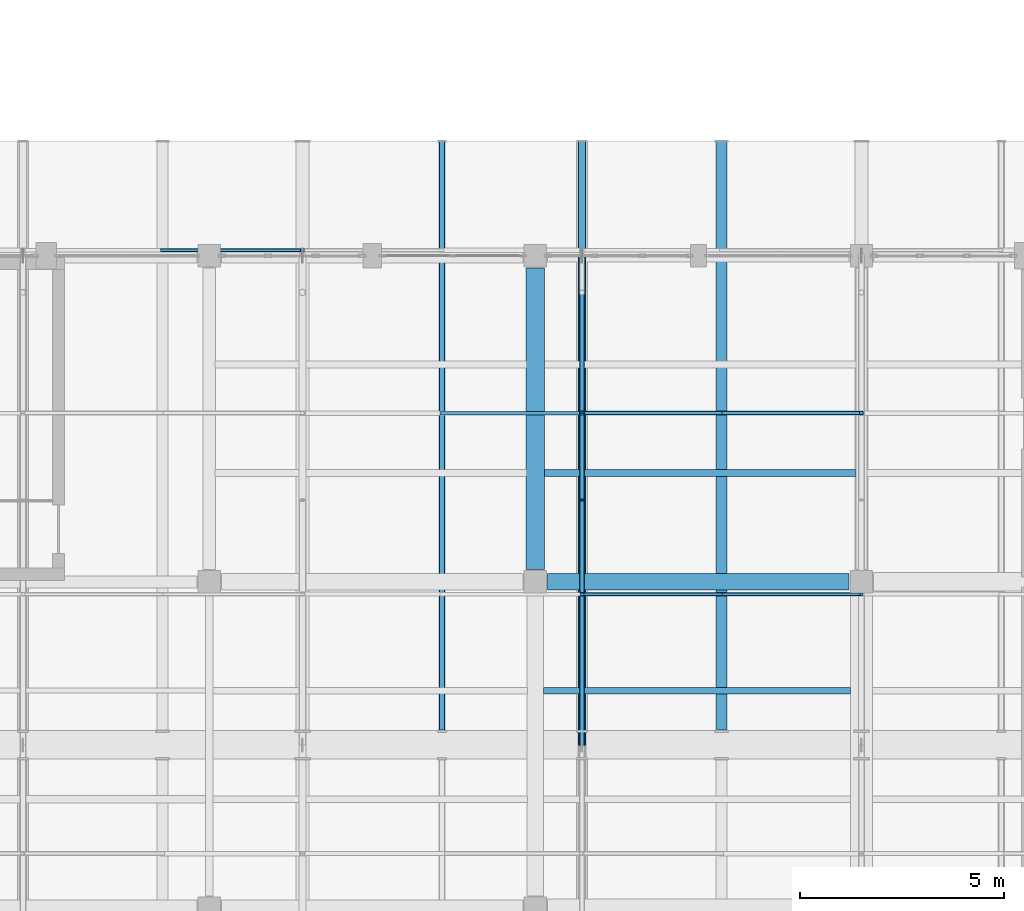
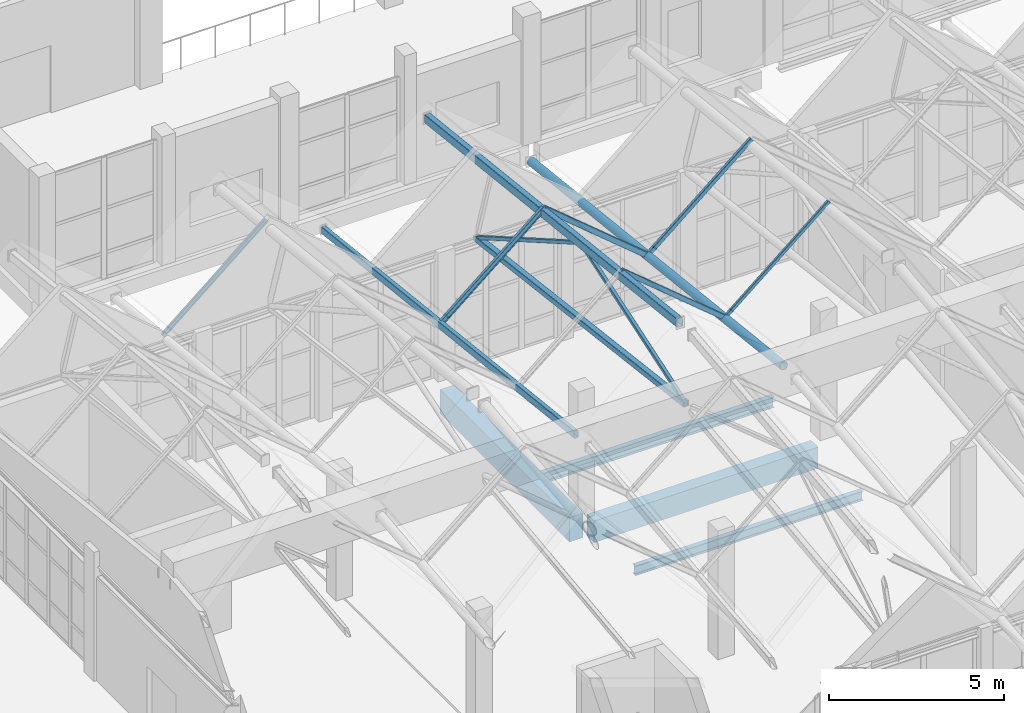
# One storey, part 77 of 183: 9 members, 7 beams.
"""IFC4 building model written with IfcOpenShell, lengths in metres."""

from ifc_helpers import new_model, si_unit, direction, frame, origin, origin_2d, place, context, subcontext, project, spatial, rectangle, hollow_rectangle, hollow_circle, i_section, extrude, material, material_profile, profile_set, type_object, element, save


model = new_model("IFC4")

# Units and contexts
model_context = context("Model", 3, precision=1e-05, world=origin(), true_north=direction((0.0, 1.0)))
body_context = subcontext(model_context, "Body", "Model", "MODEL_VIEW")
ifc_project = project(units=[si_unit("LENGTHUNIT", "METRE"), si_unit("AREAUNIT", "SQUARE_METRE"), si_unit("VOLUMEUNIT", "CUBIC_METRE"), si_unit("PLANEANGLEUNIT", "RADIAN"), si_unit("MASSUNIT", "GRAM", prefix="KILO")], contexts=[model_context])

# Site, building, storey
site_placement = place(None, origin())
site = spatial("IfcSite", under=ifc_project, at=site_placement, CompositionType="ELEMENT")
building_placement = place(site_placement, origin())
building = spatial("IfcBuilding", under=site, at=building_placement, Name="Luwemba Playhouse", CompositionType="ELEMENT")
storey_placement = place(building_placement, frame((0.0, 0.0, 4.800048828125)))
storey = spatial("IfcBuildingStorey", under=building, at=storey_placement, Name="L01", CompositionType="ELEMENT", Elevation=4.800048828125)

# Beams
ifc_material_1 = material(Name="Concrete C40/50", Category="concrete")
ifc_material_profile_1 = material_profile(ifc_material_1, rectangle(XDim=0.39990234375, YDim=0.75, at=origin_2d()))
ifc_profile_set_1 = profile_set([ifc_material_profile_1], Name="Concrete C40/50")
beam_type_1 = type_object("IfcBeamType", Name="BM-RB03", PredefinedType="BEAM", material=ifc_profile_set_1)
beam_1_placement = place(storey_placement, frame((140.300048828125, 19.0, -0.625), z_axis=(1.0, 0.0, 0.0), x_axis=(0.0, 1.0, 0.0)))
element("IfcBeam", 1, at=beam_1_placement, inside=storey, type_object=beam_type_1, Name="L01 grid girder 0533", PredefinedType="BEAM", context=body_context, shape_type="SweptSolid", body=[
    extrude(rectangle(XDim=0.39990234375, YDim=0.75, at=origin_2d()), origin(), (0.0, 0.0, 1.0), 7.39990234375),
])
ifc_material_profile_2 = material_profile(ifc_material_1, rectangle(XDim=0.449951171875, YDim=0.85009765625, at=origin_2d()))
ifc_profile_set_2 = profile_set([ifc_material_profile_2], Name="Concrete C40/50")
beam_type_2 = type_object("IfcBeamType", Name="BM-RB05", PredefinedType="BEAM", material=ifc_profile_set_2)
beam_2_placement = place(storey_placement, frame((140.0, 19.300048828125, -0.675048828125), z_axis=(0.0, 1.0, 0.0), x_axis=(-1.0, 0.0, 0.0)))
element("IfcBeam", 2, at=beam_2_placement, inside=storey, type_object=beam_type_2, Name="L01 transverse girder 0551", PredefinedType="BEAM", context=body_context, shape_type="SweptSolid", body=[
    extrude(rectangle(XDim=0.449951171875, YDim=0.85009765625, at=origin_2d()), origin(), (0.0, 0.0, 1.0), 7.39990234375),
])
ifc_material_2 = material(Name="Steel S355", Category="steel")
ifc_material_profile_3 = material_profile(ifc_material_2, hollow_rectangle(XDim=0.14990234375, YDim=0.25, WallThickness=0.010009765625, InnerFilletRadius=0.014892578125, OuterFilletRadius=0.02490234375, at=origin_2d()))
ifc_profile_set_3 = profile_set([ifc_material_profile_3], Name="Steel S355")
beam_type_3 = type_object("IfcBeamType", Name="BM-RTG1", PredefinedType="USERDEFINED", material=ifc_profile_set_3)
beam_3_placement = place(storey_placement, frame((137.71435546875, 15.35009765625, 5.78466796875), z_axis=(0.0, 0.993786292845, -0.111305005073), x_axis=(-1.0, 0.0, 0.0)))
element("IfcBeam", 3, at=beam_3_placement, inside=storey, type_object=beam_type_3, Name="ROOF TRUSS valley girder 0321", ObjectType="ROOF TRUSS", PredefinedType="USERDEFINED", context=body_context, shape_type="SweptSolid", body=[
    extrude(hollow_rectangle(XDim=0.14990234375, YDim=0.25, WallThickness=0.010009765625, InnerFilletRadius=0.014892578125, OuterFilletRadius=0.02490234375, at=origin_2d()), origin(), (0.0, 0.0, 1.0), 14.540283203125),
])
ifc_material_profile_4 = material_profile(ifc_material_2, hollow_rectangle(XDim=0.199951171875, YDim=0.300048828125, WallThickness=0.012451171875, InnerFilletRadius=0.018798828125, OuterFilletRadius=0.03125, at=origin_2d()))
ifc_profile_set_4 = profile_set([ifc_material_profile_4], Name="Steel S355")
beam_type_4 = type_object("IfcBeamType", Name="BM-RTG2", PredefinedType="USERDEFINED", material=ifc_profile_set_4)
beam_4_placement = place(storey_placement, frame((141.142822265625, 15.35009765625, 8.489013671875), z_axis=(0.0, 0.993786292845, -0.111305005073), x_axis=(-1.0, 0.0, 0.0)))
element("IfcBeam", 4, at=beam_4_placement, inside=storey, type_object=beam_type_4, Name="ROOF TRUSS ridge girder 0323", ObjectType="ROOF TRUSS", PredefinedType="USERDEFINED", context=body_context, shape_type="SweptSolid", body=[
    extrude(hollow_rectangle(XDim=0.199951171875, YDim=0.300048828125, WallThickness=0.012451171875, InnerFilletRadius=0.018798828125, OuterFilletRadius=0.03125, at=origin_2d()), origin(), (0.0, 0.0, 1.0), 14.540283203125),
])
ifc_material_profile_5 = material_profile(ifc_material_2, hollow_circle(Radius=0.136474609375, WallThickness=0.012451171875, at=origin_2d()))
ifc_profile_set_5 = profile_set([ifc_material_profile_5], Name="Steel S355")
beam_type_5 = type_object("IfcBeamType", Name="BM-RTG3", PredefinedType="USERDEFINED", material=ifc_profile_set_5)
beam_5_placement = place(storey_placement, frame((144.5712890625, 15.35009765625, 5.773193359375), z_axis=(0.0, 0.993786292845, -0.111305005073), x_axis=(-1.0, 0.0, 0.0)))
element("IfcBeam", 5, at=beam_5_placement, inside=storey, type_object=beam_type_5, Name="ROOF TRUSS valley girder 0325", ObjectType="ROOF TRUSS", PredefinedType="USERDEFINED", context=body_context, shape_type="SweptSolid", body=[
    extrude(hollow_circle(Radius=0.136474609375, WallThickness=0.012451171875, at=origin_2d()), origin(), (0.0, 0.0, 1.0), 14.540283203125),
])
ifc_material_profile_6 = material_profile(ifc_material_2, i_section(OverallWidth=0.159912109375, OverallDepth=0.330078125, WebThickness=0.007568359375, FlangeThickness=0.011474609375, FilletRadius=0.01806640625, at=origin_2d()))
ifc_profile_set_6 = profile_set([ifc_material_profile_6], Name="Steel S355")
beam_type_6 = type_object("IfcBeamType", Name="BM-SJ06", PredefinedType="JOIST", material=ifc_profile_set_6)
beam_6_placement = place(storey_placement, frame((140.196044921875, 16.333251953125, -0.4150390625), z_axis=(1.0, 0.0, 0.0), x_axis=(0.0, 1.0, 0.0)))
element("IfcBeam", 6, at=beam_6_placement, inside=storey, type_object=beam_type_6, Name="L01 composite floor joist 0319", PredefinedType="JOIST", context=body_context, shape_type="SweptSolid", body=[
    extrude(i_section(OverallWidth=0.159912109375, OverallDepth=0.330078125, WebThickness=0.007568359375, FlangeThickness=0.011474609375, FilletRadius=0.01806640625, at=origin_2d()), origin(), (0.0, 0.0, 1.0), 7.532958984375),
])
ifc_material_profile_7 = material_profile(ifc_material_2, i_section(OverallWidth=0.169921875, OverallDepth=0.360107421875, WebThickness=0.008056640625, FlangeThickness=0.0126953125, FilletRadius=0.01806640625, at=origin_2d()))
ifc_profile_set_7 = profile_set([ifc_material_profile_7], Name="Steel S355")
beam_type_7 = type_object("IfcBeamType", Name="BM-SJ07", PredefinedType="JOIST", material=ifc_profile_set_7)
beam_7_placement = place(storey_placement, frame((140.220947265625, 21.666748046875, -0.429931640625), z_axis=(1.0, 0.0, 0.0), x_axis=(0.0, 1.0, 0.0)))
element("IfcBeam", 7, at=beam_7_placement, inside=storey, type_object=beam_type_7, Name="L01 composite floor joist 0320", PredefinedType="JOIST", context=body_context, shape_type="SweptSolid", body=[
    extrude(i_section(OverallWidth=0.169921875, OverallDepth=0.360107421875, WebThickness=0.008056640625, FlangeThickness=0.0126953125, FilletRadius=0.01806640625, at=origin_2d()), origin(), (0.0, 0.0, 1.0), 7.64306640625),
])

# Members
ifc_material_profile_8 = material_profile(ifc_material_2, hollow_rectangle(XDim=0.1201171875, YDim=0.1201171875, WallThickness=0.008056640625, InnerFilletRadius=0.011962890625, OuterFilletRadius=0.02001953125, at=origin_2d()))
ifc_profile_set_8 = profile_set([ifc_material_profile_8], Name="Steel S355")
member_type_1 = type_object("IfcMemberType", Name="MEM-MB06", PredefinedType="BRACE", material=ifc_profile_set_8)
member_1_placement = place(storey_placement, frame((141.142822265625, 15.0, 5.864013671875), z_axis=(0.0, 0.949053370106, 0.315115376793), x_axis=(-1.0, 0.0, 0.0)))
element("IfcMember", 8, at=member_1_placement, inside=storey, type_object=member_type_1, Name="ROOF TRUSS web diagonal 0281", PredefinedType="BRACE", context=body_context, shape_type="SweptSolid", body=[
    extrude(hollow_rectangle(XDim=0.1201171875, YDim=0.1201171875, WallThickness=0.008056640625, InnerFilletRadius=0.011962890625, OuterFilletRadius=0.02001953125, at=origin_2d()), origin(), (0.0, 0.0, 1.0), 6.322021484375),
])
member_2_placement = place(storey_placement, frame((141.142822265625, 27.0, 4.39990234375), z_axis=(0.0, -0.866512940122, 0.499154609917), x_axis=(1.0, 0.0, 0.0)))
element("IfcMember", 9, at=member_2_placement, inside=storey, type_object=member_type_1, Name="ROOF TRUSS web diagonal 0282", PredefinedType="BRACE", context=body_context, shape_type="SweptSolid", body=[
    extrude(hollow_rectangle(XDim=0.1201171875, YDim=0.1201171875, WallThickness=0.008056640625, InnerFilletRadius=0.011962890625, OuterFilletRadius=0.02001953125, at=origin_2d()), origin(), (0.0, 0.0, 1.0), 6.92431640625),
])
ifc_material_profile_9 = material_profile(ifc_material_2, hollow_rectangle(XDim=0.199951171875, YDim=0.199951171875, WallThickness=0.012451171875, InnerFilletRadius=0.018798828125, OuterFilletRadius=0.03125, at=origin_2d()))
ifc_profile_set_9 = profile_set([ifc_material_profile_9], Name="Steel S355")
member_type_2 = type_object("IfcMemberType", Name="MEM-MC04", PredefinedType="CHORD", material=ifc_profile_set_9)
member_3_placement = place(storey_placement, frame((141.142822265625, 15.0, 5.864013671875), z_axis=(0.0, 0.992638950812, -0.121111161052), x_axis=(-1.0, 0.0, 0.0)))
element("IfcMember", 10, at=member_3_placement, inside=storey, type_object=member_type_2, Name="ROOF TRUSS north bottom chord 0278", PredefinedType="CHORD", context=body_context, shape_type="SweptSolid", body=[
    extrude(hollow_rectangle(XDim=0.199951171875, YDim=0.199951171875, WallThickness=0.012451171875, InnerFilletRadius=0.018798828125, OuterFilletRadius=0.03125, at=origin_2d()), origin(), (0.0, 0.0, 1.0), 12.0888671875),
])
ifc_material_profile_10 = material_profile(ifc_material_2, hollow_rectangle(XDim=0.080078125, YDim=0.1201171875, WallThickness=0.00634765625, InnerFilletRadius=0.009521484375, OuterFilletRadius=0.015869140625, at=origin_2d()))
ifc_profile_set_10 = profile_set([ifc_material_profile_10], Name="Steel S355")
member_type_3 = type_object("IfcMemberType", Name="MEM-MP01", PredefinedType="PURLIN", material=ifc_profile_set_10)
member_4_placement = place(storey_placement, frame((144.5712890625, 18.699951171875, 5.446044921875), z_axis=(0.768364765209, 0.0, 0.640012177685), x_axis=(0.0, 1.0, 0.0)))
element("IfcMember", 11, at=member_4_placement, inside=storey, type_object=member_type_3, Name="Pleated roof purlin 0568", PredefinedType="PURLIN", context=body_context, shape_type="SweptSolid", body=[
    extrude(hollow_rectangle(XDim=0.080078125, YDim=0.1201171875, WallThickness=0.00634765625, InnerFilletRadius=0.009521484375, OuterFilletRadius=0.015869140625, at=origin_2d()), origin(), (0.0, 0.0, 1.0), 4.46240234375),
])
ifc_material_profile_11 = material_profile(ifc_material_2, hollow_rectangle(XDim=0.10009765625, YDim=0.14990234375, WallThickness=0.008056640625, InnerFilletRadius=0.011962890625, OuterFilletRadius=0.02001953125, at=origin_2d()))
ifc_profile_set_11 = profile_set([ifc_material_profile_11], Name="Steel S355")
member_type_4 = type_object("IfcMemberType", Name="MEM-MP02", PredefinedType="PURLIN", material=ifc_profile_set_11)
member_5_placement = place(storey_placement, frame((144.5712890625, 23.139892578125, 4.925537109375), z_axis=(0.768364765209, 0.0, 0.640012177685), x_axis=(0.0, 1.0, 0.0)))
element("IfcMember", 12, at=member_5_placement, inside=storey, type_object=member_type_4, Name="Pleated roof purlin 0569", PredefinedType="PURLIN", context=body_context, shape_type="SweptSolid", body=[
    extrude(hollow_rectangle(XDim=0.10009765625, YDim=0.14990234375, WallThickness=0.008056640625, InnerFilletRadius=0.011962890625, OuterFilletRadius=0.02001953125, at=origin_2d()), origin(), (0.0, 0.0, 1.0), 4.46240234375),
])
ifc_material_profile_12 = material_profile(ifc_material_2, hollow_rectangle(XDim=0.080078125, YDim=0.159912109375, WallThickness=0.00634765625, InnerFilletRadius=0.009521484375, OuterFilletRadius=0.015869140625, at=origin_2d()))
ifc_profile_set_12 = profile_set([ifc_material_profile_12], Name="Steel S355")
member_type_5 = type_object("IfcMemberType", Name="MEM-MP03", PredefinedType="PURLIN", material=ifc_profile_set_12)
member_6_placement = place(storey_placement, frame((130.857177734375, 27.135986328125, 4.481201171875), z_axis=(0.768342353216, 0.0, 0.640039083381), x_axis=(0.0, 1.0, 0.0)))
element("IfcMember", 13, at=member_6_placement, inside=storey, type_object=member_type_5, Name="Pleated roof purlin 0546", PredefinedType="PURLIN", context=body_context, shape_type="SweptSolid", body=[
    extrude(hollow_rectangle(XDim=0.080078125, YDim=0.159912109375, WallThickness=0.00634765625, InnerFilletRadius=0.009521484375, OuterFilletRadius=0.015869140625, at=origin_2d()), origin(), (0.0, 0.0, 1.0), 4.462158203125),
])
member_7_placement = place(storey_placement, frame((141.142822265625, 18.699951171875, 8.281982421875), z_axis=(0.768369259913, 0.0, -0.640006781543), x_axis=(0.0, 1.0, 0.0)))
element("IfcMember", 14, at=member_7_placement, inside=storey, type_object=member_type_5, Name="Pleated roof purlin 0562", PredefinedType="PURLIN", context=body_context, shape_type="SweptSolid", body=[
    extrude(hollow_rectangle(XDim=0.080078125, YDim=0.159912109375, WallThickness=0.00634765625, InnerFilletRadius=0.009521484375, OuterFilletRadius=0.015869140625, at=origin_2d()), origin(), (0.0, 0.0, 1.0), 4.4619140625),
])
ifc_material_profile_13 = material_profile(ifc_material_2, hollow_rectangle(XDim=0.10009765625, YDim=0.179931640625, WallThickness=0.008056640625, InnerFilletRadius=0.011962890625, OuterFilletRadius=0.02001953125, at=origin_2d()))
ifc_profile_set_13 = profile_set([ifc_material_profile_13], Name="Steel S355")
member_type_6 = type_object("IfcMemberType", Name="MEM-MP04", PredefinedType="PURLIN", material=ifc_profile_set_13)
member_8_placement = place(storey_placement, frame((141.142822265625, 23.139892578125, 7.766357421875), z_axis=(0.768369259913, 0.0, -0.640006781543), x_axis=(0.0, 1.0, 0.0)))
element("IfcMember", 15, at=member_8_placement, inside=storey, type_object=member_type_6, Name="Pleated roof purlin 0563", PredefinedType="PURLIN", context=body_context, shape_type="SweptSolid", body=[
    extrude(hollow_rectangle(XDim=0.10009765625, YDim=0.179931640625, WallThickness=0.008056640625, InnerFilletRadius=0.011962890625, OuterFilletRadius=0.02001953125, at=origin_2d()), origin(), (0.0, 0.0, 1.0), 4.4619140625),
])
ifc_material_profile_14 = material_profile(ifc_material_2, i_section(OverallWidth=0.091064453125, OverallDepth=0.179931640625, WebThickness=0.00537109375, FlangeThickness=0.008056640625, FilletRadius=0.009033203125, at=origin_2d()))
ifc_profile_set_14 = profile_set([ifc_material_profile_14], Name="Steel S355")
member_type_7 = type_object("IfcMemberType", Name="MEM-MP06", PredefinedType="PURLIN", material=ifc_profile_set_14)
member_9_placement = place(storey_placement, frame((137.71435546875, 23.139892578125, 4.914306640625), z_axis=(0.768342353216, 0.0, 0.640039083381), x_axis=(0.0, 1.0, 0.0)))
element("IfcMember", 16, at=member_9_placement, inside=storey, type_object=member_type_7, Name="Pleated roof purlin 0557", PredefinedType="PURLIN", context=body_context, shape_type="SweptSolid", body=[
    extrude(i_section(OverallWidth=0.091064453125, OverallDepth=0.179931640625, WebThickness=0.00537109375, FlangeThickness=0.008056640625, FilletRadius=0.009033203125, at=origin_2d()), origin(), (0.0, 0.0, 1.0), 4.462158203125),
])

save(model, "model.ifc")
